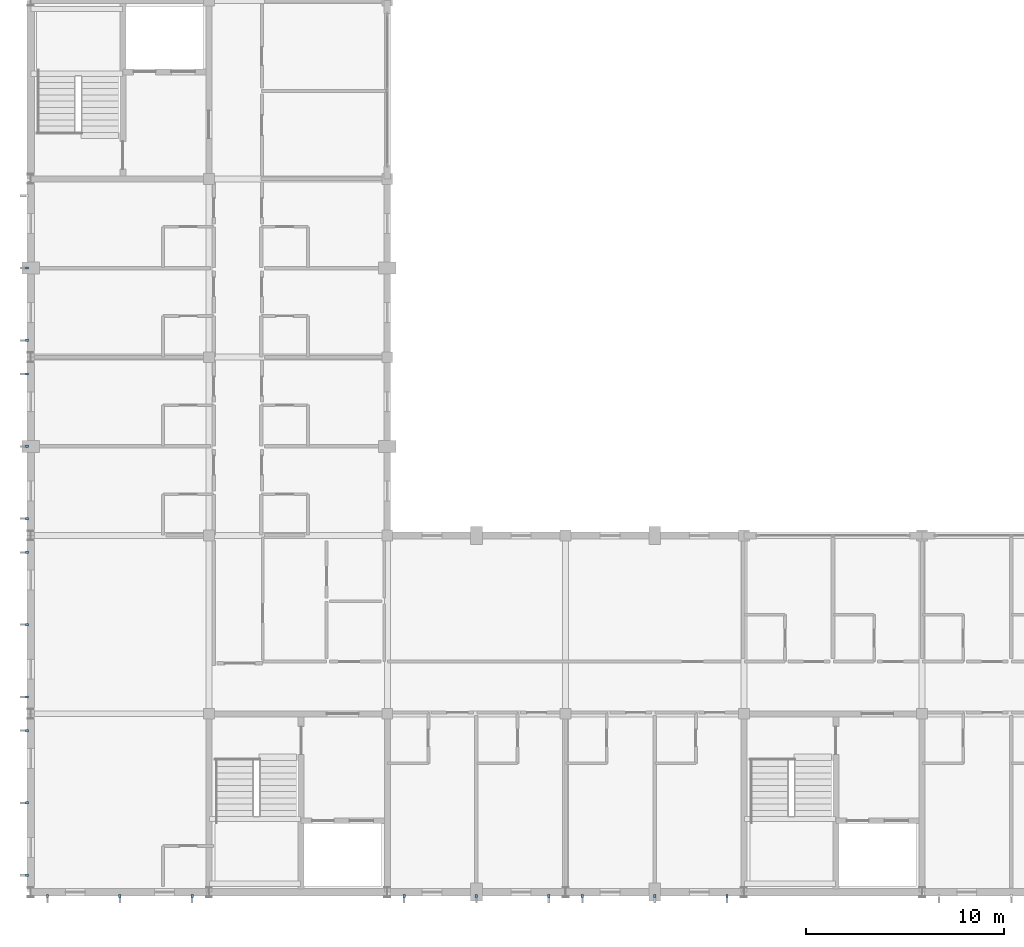
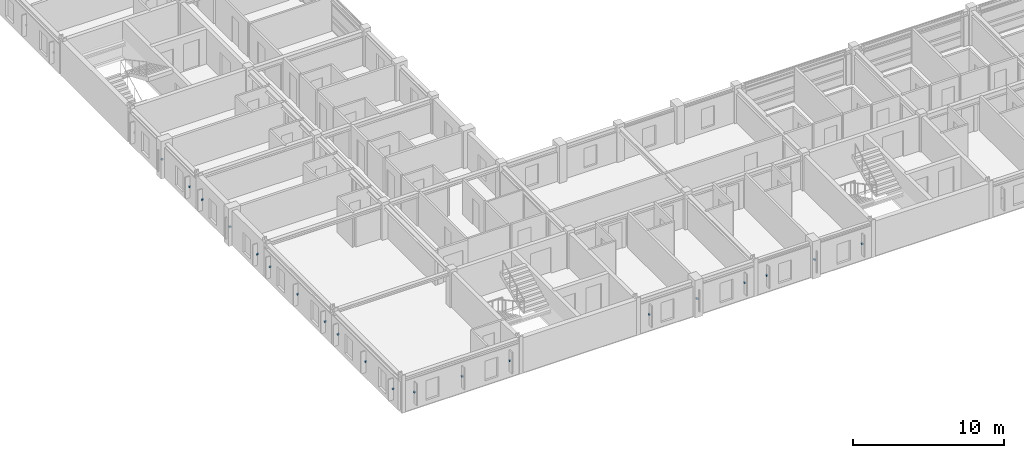
# One storey, part 31 of 37: 20 discrete accessories.
"""IFC4 building model written with IfcOpenShell, lengths in metres."""

from ifc_helpers import new_model, si_unit, direction, frame, origin, origin_2d, place, context, subcontext, project, spatial, rectangle, extrude, material, type_object, element, save


model = new_model("IFC4")

# Units and contexts
model_context = context("Model", 3, precision=1e-05, world=origin(), true_north=direction((0.0, 1.0)))
body_context = subcontext(model_context, "Body", "Model", "MODEL_VIEW")
ifc_project = project(units=[si_unit("LENGTHUNIT", "METRE"), si_unit("AREAUNIT", "SQUARE_METRE"), si_unit("VOLUMEUNIT", "CUBIC_METRE"), si_unit("PLANEANGLEUNIT", "RADIAN"), si_unit("MASSUNIT", "GRAM", prefix="KILO")], contexts=[model_context])

# Site, building, storey
site_placement = place(None, origin())
site = spatial("IfcSite", under=ifc_project, at=site_placement, CompositionType="ELEMENT")
building_placement = place(site_placement, origin())
building = spatial("IfcBuilding", under=site, at=building_placement, Name="Palais des Congres Ocreval", CompositionType="ELEMENT")
storey_placement = place(building_placement, frame((0.0, 0.0, 11.52001953125)))
storey = spatial("IfcBuildingStorey", under=building, at=storey_placement, Name="L03", CompositionType="ELEMENT", Elevation=11.52001953125)

# Discrete accessories
ifc_material = material(Name="Steel S355", Category="steel")
discrete_accessory_type = type_object("IfcDiscreteAccessoryType", Name="Stainless Brise-Soleil Fixing Bracket", PredefinedType="BRACKET", material=ifc_material)
for number, where, z_axis, x_axis, name in (
    (1, (35.14990234375, -0.18994140625, 1.2900390625), (0.0, 0.0, 1.0), (0.0, -1.0, 0.0), "Celosia Fixing Bracket BK01"),
    (2, (31.5, -0.18994140625, 1.2900390625), (0.0, 0.0, 1.0), (0.0, -1.0, 0.0), "Celosia Fixing Bracket BK01"),
    (3, (27.85009765625, -0.18994140625, 1.2900390625), (0.0, 0.0, 1.0), (0.0, -1.0, 0.0), "Celosia Fixing Bracket BK01"),
    (4, (26.14990234375, -0.18994140625, 1.2900390625), (0.0, 0.0, 1.0), (0.0, -1.0, 0.0), "Celosia Fixing Bracket BK01"),
    (5, (22.5, -0.18994140625, 1.2900390625), (0.0, 0.0, 1.0), (0.0, -1.0, 0.0), "Celosia Fixing Bracket BK01"),
    (6, (18.85009765625, -0.18994140625, 1.2900390625), (0.0, 0.0, 1.0), (0.0, -1.0, 0.0), "Celosia Fixing Bracket BK01"),
    (7, (8.14990234375, -0.18994140625, 1.2900390625), (0.0, 0.0, 1.0), (0.0, -1.0, 0.0), "Celosia Fixing Bracket BK01"),
    (8, (4.5, -0.18994140625, 1.2900390625), (0.0, 0.0, 1.0), (0.0, -1.0, 0.0), "Celosia Fixing Bracket BK01"),
    (9, (0.85009765625, -0.18994140625, 1.2900390625), (0.0, 0.0, 1.0), (0.0, -1.0, 0.0), "Celosia Fixing Bracket BK01"),
    (10, (-0.18994140625, 0.85009765625, 1.2900390625), (0.0, 0.0, 1.0), (-1.0, 0.0, 0.0), "Celosia Fixing Bracket BK01"),
    (11, (-0.18994140625, 4.5, 1.2900390625), (0.0, 0.0, 1.0), (-1.0, 0.0, 0.0), "Celosia Fixing Bracket BK01"),
    (12, (-0.18994140625, 8.14990234375, 1.2900390625), (0.0, 0.0, 1.0), (-1.0, 0.0, 0.0), "Celosia Fixing Bracket BK01"),
    (13, (-0.18994140625, 9.85009765625, 1.2900390625), (0.0, 0.0, 1.0), (-1.0, 0.0, 0.0), "Celosia Fixing Bracket BK01"),
    (14, (-0.18994140625, 13.5, 1.2900390625), (0.0, 0.0, 1.0), (-1.0, 0.0, 0.0), "Celosia Fixing Bracket BK01"),
    (15, (-0.18994140625, 17.14990234375, 1.2900390625), (0.0, 0.0, 1.0), (-1.0, 0.0, 0.0), "Celosia Fixing Bracket BK01"),
    (16, (-0.18994140625, 18.85009765625, 1.2900390625), (0.0, 0.0, 1.0), (-1.0, 0.0, 0.0), "Celosia Fixing Bracket BK01"),
    (17, (-0.18994140625, 22.5, 1.2900390625), (0.0, 0.0, 1.0), (-1.0, 0.0, 0.0), "Celosia Fixing Bracket BK01"),
    (18, (-0.18994140625, 26.14990234375, 1.2900390625), (0.0, 0.0, 1.0), (-1.0, 0.0, 0.0), "Celosia Fixing Bracket BK01"),
    (19, (-0.18994140625, 27.85009765625, 1.2900390625), (0.0, 0.0, 1.0), (-1.0, 0.0, 0.0), "Celosia Fixing Bracket BK01"),
    (20, (-0.18994140625, 31.5, 1.2900390625), (0.0, 0.0, 1.0), (-1.0, 0.0, 0.0), "Celosia Fixing Bracket BK01"),
):
    element("IfcDiscreteAccessory", number, at=place(storey_placement, frame(where, z_axis=z_axis, x_axis=x_axis)), inside=storey, type_object=discrete_accessory_type, Name=name, PredefinedType="BRACKET", context=body_context, shape_type="SweptSolid", body=[
        extrude(rectangle(XDim=0.159912109375, YDim=0.1201171875, at=origin_2d()), origin(), (0.0, 0.0, 1.0), 0.1201171875),
    ])

save(model, "model.ifc")
